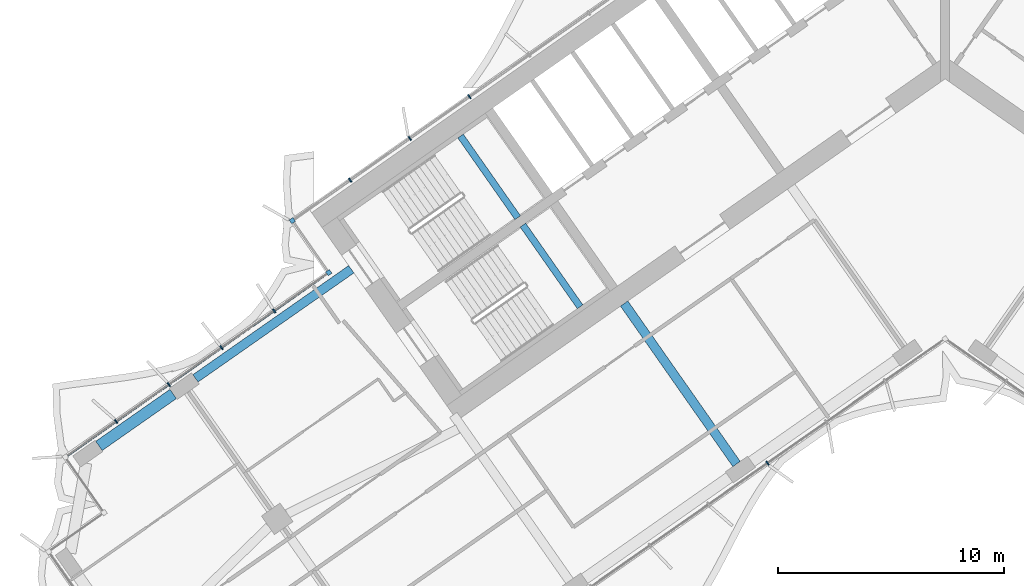
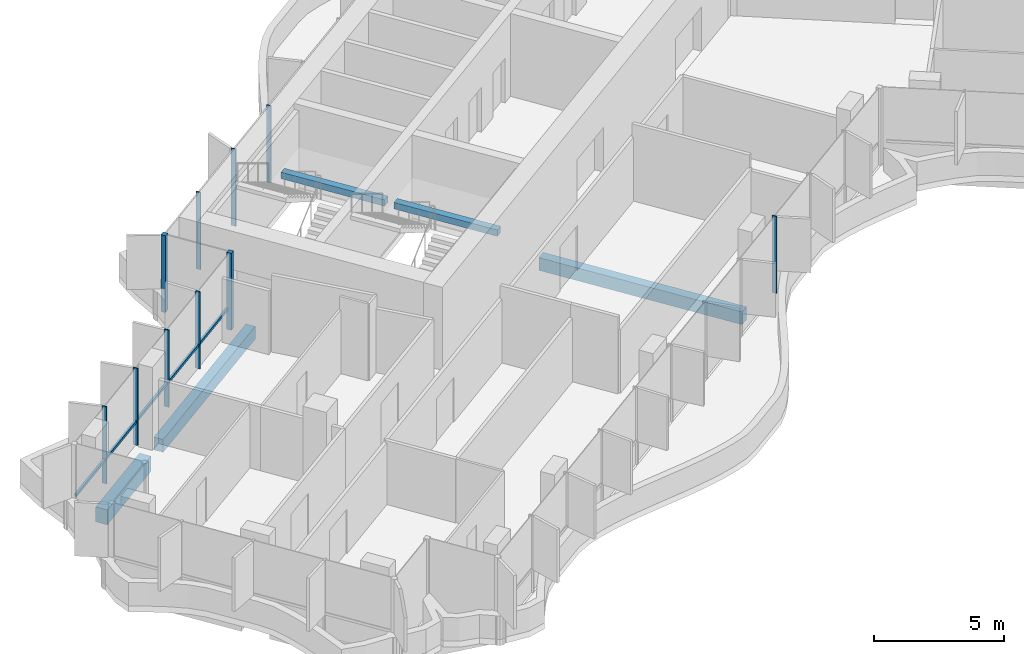
# One storey, part 4 of 22: 11 members, 5 beams, 2 elements without a shape of their own.
"""IFC4 building model written with IfcOpenShell, lengths in metres."""

from ifc_helpers import new_model, si_unit, direction, frame, origin, origin_2d, place, context, subcontext, project, spatial, rectangle, extrude, material, material_profile, profile_set, type_object, element, aggregate, save


model = new_model("IFC4")

# Units and contexts
model_context = context("Model", 3, precision=1e-05, world=origin(), true_north=direction((0.0, 1.0)))
body_context = subcontext(model_context, "Body", "Model", "MODEL_VIEW")
ifc_project = project(units=[si_unit("LENGTHUNIT", "METRE"), si_unit("AREAUNIT", "SQUARE_METRE"), si_unit("VOLUMEUNIT", "CUBIC_METRE"), si_unit("PLANEANGLEUNIT", "RADIAN"), si_unit("MASSUNIT", "GRAM", prefix="KILO")], contexts=[model_context])

# Site, building, storey
site_placement = place(None, origin())
site = spatial("IfcSite", under=ifc_project, at=site_placement, CompositionType="ELEMENT")
building_placement = place(site_placement, origin())
building = spatial("IfcBuilding", under=site, at=building_placement, Name="Tel Ilan Convention Tower", CompositionType="ELEMENT")
storey_placement = place(building_placement, frame((0.0, 0.0, 143.699951171875)))
storey = spatial("IfcBuildingStorey", under=building, at=storey_placement, Name="L32", CompositionType="ELEMENT", Elevation=143.699951171875)

# Beams
ifc_material_1 = material(Name="Concrete C40/50", Category="concrete")
ifc_material_profile_1 = material_profile(ifc_material_1, rectangle(XDim=0.39990234375, YDim=0.60009765625, at=origin_2d()), Name="RC 400x600")
ifc_profile_set_1 = profile_set([ifc_material_profile_1], Name="Concrete C40/50")
beam_type_1 = type_object("IfcBeamType", Name="Beam RC 400x600 Concrete C40/50", PredefinedType="BEAM", material=ifc_profile_set_1)
beam_1_placement = place(storey_placement, frame((-33.09912109375, -14.44775390625, -0.579833984375), z_axis=(0.819147254605, 0.573583276668, 0.0), x_axis=(-0.573583276668, 0.819147254605, 0.0)))
element("IfcBeam", 1, at=beam_1_placement, inside=storey, type_object=beam_type_1, Name="L32 beam W-W-B4-core", PredefinedType="BEAM", context=body_context, shape_type="SweptSolid", body=[
    extrude(rectangle(XDim=0.39990234375, YDim=0.60009765625, at=origin_2d()), origin(), (0.0, 0.0, 1.0), 8.400146484375),
])
beam_2_placement = place(storey_placement, frame((-9.209716796875, -18.229248046875, -0.579833984375), z_axis=(-0.573574099654, 0.819153680457, 0.0), x_axis=(-0.819153680457, -0.573574099654, 0.0)))
element("IfcBeam", 2, at=beam_2_placement, inside=storey, type_object=beam_type_1, Name="L32 beam W-W-F2-core", PredefinedType="BEAM", context=body_context, shape_type="SweptSolid", body=[
    extrude(rectangle(XDim=0.39990234375, YDim=0.60009765625, at=origin_2d()), origin(), (0.0, 0.0, 1.0), 8.64990234375),
])
ifc_material_2 = material(Name="Concrete C40/50", Category="concrete")
ifc_material_profile_2 = material_profile(ifc_material_2, rectangle(XDim=0.5, YDim=0.699951171875, at=origin_2d()), Name="RC 500x700")
ifc_profile_set_2 = profile_set([ifc_material_profile_2], Name="Concrete C40/50")
beam_type_2 = type_object("IfcBeamType", Name="Beam RC 500x700 Concrete C40/50", PredefinedType="BEAM", material=ifc_profile_set_2)
beam_3_placement = place(storey_placement, frame((-37.358642578125, -17.430419921875, -0.6298828125), z_axis=(0.819137286189, 0.573597512525, 0.0), x_axis=(-0.573597512525, 0.819137286189, 0.0)))
element("IfcBeam", 3, at=beam_3_placement, inside=storey, type_object=beam_type_2, Name="L32 beam W-W-BC-W-B4", PredefinedType="BEAM", context=body_context, shape_type="SweptSolid", body=[
    extrude(rectangle(XDim=0.5, YDim=0.699951171875, at=origin_2d()), origin(), (0.0, 0.0, 1.0), 4.0),
])

# Curtain wall, members
ifc_material_3 = material(Name="Aluminium, bronze anodised", Category="aluminium")
curtain_wall_type_1 = type_object("IfcCurtainWallType", Name="CW2 STICK CURTAIN WALL, SPANDREL PANELS", PredefinedType="NOTDEFINED", material=ifc_material_3)
curtain_wall_1_placement = place(storey_placement, origin())
curtain_wall_1 = element("IfcCurtainWall", 4, at=curtain_wall_1_placement, inside=storey, type_object=curtain_wall_type_1, Name="Curtain wall CW2-26.03", PredefinedType="NOTDEFINED")
ifc_material_4 = material(Name="Aluminium, bronze anodised", Category="aluminium")
ifc_material_profile_3 = material_profile(ifc_material_4, rectangle(XDim=0.199951171875, YDim=0.199951171875, at=origin_2d()), Name="CW CORNER MULLION 200x200")
ifc_profile_set_3 = profile_set([ifc_material_profile_3], Name="Aluminium, bronze anodised")
member_type_1 = type_object("IfcMemberType", Name="CW CORNER MULLION 200x200", PredefinedType="MULLION", material=ifc_profile_set_3)
member_1_placement = place(storey_placement, frame((-28.819580078125, -7.483642578125, 0.0), z_axis=(0.0, 0.0, 1.0), x_axis=(-0.819152044289, -0.573576436351, 0.0)))
member_1 = element("IfcMember", 5, at=member_1_placement, type_object=member_type_1, Name="Corner mullion", PredefinedType="MULLION", context=body_context, shape_type="SweptSolid", body=[
    extrude(rectangle(XDim=0.199951171875, YDim=0.199951171875, at=origin_2d()), origin(), (0.0, 0.0, 1.0), 3.6201171875),
])
member_2_placement = place(storey_placement, frame((-27.213623046875, -9.77734375, 0.0), z_axis=(0.0, 0.0, 1.0), x_axis=(0.573576436351, -0.819152044289, 0.0)))
member_2 = element("IfcMember", 6, at=member_2_placement, type_object=member_type_1, Name="Corner mullion", PredefinedType="MULLION", context=body_context, shape_type="SweptSolid", body=[
    extrude(rectangle(XDim=0.199951171875, YDim=0.199951171875, at=origin_2d()), origin(), (0.0, 0.0, 1.0), 3.6201171875),
])
ifc_material_5 = material(Name="Aluminium, bronze anodised", Category="aluminium")
ifc_material_profile_4 = material_profile(ifc_material_5, rectangle(XDim=0.06005859375, YDim=0.199951171875, at=origin_2d()), Name="CW MULLION 60x200")
ifc_profile_set_4 = profile_set([ifc_material_profile_4], Name="Aluminium, bronze anodised")
member_type_2 = type_object("IfcMemberType", Name="CW MULLION 60x200", PredefinedType="MULLION", material=ifc_profile_set_4)
member_3_placement = place(storey_placement, frame((-21.003662109375, -2.0107421875, 0.0), z_axis=(0.0, 0.0, 1.0), x_axis=(-0.819152044289, -0.573576436351, 0.0)))
member_3 = element("IfcMember", 7, at=member_3_placement, type_object=member_type_2, Name="Mullion", PredefinedType="MULLION", context=body_context, shape_type="SweptSolid", body=[
    extrude(rectangle(XDim=0.06005859375, YDim=0.199951171875, at=origin_2d()), origin(), (0.0, 0.0, 1.0), 3.6201171875),
])
member_4_placement = place(storey_placement, frame((-23.63623046875, -3.854248046875, 0.0), z_axis=(0.0, 0.0, 1.0), x_axis=(-0.819152044289, -0.573576436351, 0.0)))
member_4 = element("IfcMember", 8, at=member_4_placement, type_object=member_type_2, Name="Mullion", PredefinedType="MULLION", context=body_context, shape_type="SweptSolid", body=[
    extrude(rectangle(XDim=0.06005859375, YDim=0.199951171875, at=origin_2d()), origin(), (0.0, 0.0, 1.0), 3.6201171875),
])
member_5_placement = place(storey_placement, frame((-26.268798828125, -5.697509765625, 0.0), z_axis=(0.0, 0.0, 1.0), x_axis=(-0.819152044289, -0.573576436351, 0.0)))
member_5 = element("IfcMember", 9, at=member_5_placement, type_object=member_type_2, Name="Mullion", PredefinedType="MULLION", context=body_context, shape_type="SweptSolid", body=[
    extrude(rectangle(XDim=0.06005859375, YDim=0.199951171875, at=origin_2d()), origin(), (0.0, 0.0, 1.0), 3.6201171875),
])
aggregate(curtain_wall_1, [member_3, member_4, member_5, member_1, member_2])

ifc_material_6 = material(Name="Aluminium, bronze anodised", Category="aluminium")
curtain_wall_type_2 = type_object("IfcCurtainWallType", Name="CW4 STICK CURTAIN WALL, OFFICE TINTED GLASS", PredefinedType="NOTDEFINED", material=ifc_material_6)
curtain_wall_2_placement = place(storey_placement, origin())
curtain_wall_2 = element("IfcCurtainWall", 10, at=curtain_wall_2_placement, inside=storey, type_object=curtain_wall_type_2, Name="Curtain wall CW4-26.04", PredefinedType="NOTDEFINED")
member_6_placement = place(storey_placement, frame((-29.621826171875, -11.463623046875, 0.0), z_axis=(0.0, 0.0, 1.0), x_axis=(-0.819152044289, -0.573576436351, 0.0)))
member_6 = element("IfcMember", 11, at=member_6_placement, type_object=member_type_2, Name="Mullion", PredefinedType="MULLION", context=body_context, shape_type="SweptSolid", body=[
    extrude(rectangle(XDim=0.06005859375, YDim=0.199951171875, at=origin_2d()), origin(), (0.0, 0.0, 1.0), 3.6201171875),
])
member_7_placement = place(storey_placement, frame((-31.9482421875, -13.092529296875, 0.0), z_axis=(0.0, 0.0, 1.0), x_axis=(-0.819152044289, -0.573576436351, 0.0)))
member_7 = element("IfcMember", 12, at=member_7_placement, type_object=member_type_2, Name="Mullion", PredefinedType="MULLION", context=body_context, shape_type="SweptSolid", body=[
    extrude(rectangle(XDim=0.06005859375, YDim=0.199951171875, at=origin_2d()), origin(), (0.0, 0.0, 1.0), 3.6201171875),
])
member_8_placement = place(storey_placement, frame((-34.274658203125, -14.721435546875, 0.0), z_axis=(0.0, 0.0, 1.0), x_axis=(-0.819152044289, -0.573576436351, 0.0)))
member_8 = element("IfcMember", 13, at=member_8_placement, type_object=member_type_2, Name="Mullion", PredefinedType="MULLION", context=body_context, shape_type="SweptSolid", body=[
    extrude(rectangle(XDim=0.06005859375, YDim=0.199951171875, at=origin_2d()), origin(), (0.0, 0.0, 1.0), 3.6201171875),
])
member_9_placement = place(storey_placement, frame((-36.60107421875, -16.350341796875, 0.0), z_axis=(0.0, 0.0, 1.0), x_axis=(-0.819152044289, -0.573576436351, 0.0)))
member_9 = element("IfcMember", 14, at=member_9_placement, type_object=member_type_2, Name="Mullion", PredefinedType="MULLION", context=body_context, shape_type="SweptSolid", body=[
    extrude(rectangle(XDim=0.06005859375, YDim=0.199951171875, at=origin_2d()), origin(), (0.0, 0.0, 1.0), 3.6201171875),
])
member_10_placement = place(storey_placement, frame((-7.842529296875, -18.1875, 0.0), z_axis=(0.0, 0.0, 1.0), x_axis=(0.819152044289, 0.573576436351, 0.0)))
member_10 = element("IfcMember", 15, at=member_10_placement, type_object=member_type_2, Name="Mullion", PredefinedType="MULLION", context=body_context, shape_type="SweptSolid", body=[
    extrude(rectangle(XDim=0.06005859375, YDim=0.199951171875, at=origin_2d()), origin(), (0.0, 0.0, 1.0), 3.6201171875),
])
ifc_material_7 = material(Name="Aluminium, bronze anodised", Category="aluminium")
ifc_material_profile_5 = material_profile(ifc_material_7, rectangle(XDim=0.10009765625, YDim=0.1201171875, at=origin_2d()), Name="CW TRANSOM 100x120")
ifc_profile_set_5 = profile_set([ifc_material_profile_5], Name="Aluminium, bronze anodised")
member_type_3 = type_object("IfcMemberType", Name="CW TRANSOM 100x120", PredefinedType="USERDEFINED", material=ifc_profile_set_5)
member_11_placement = place(storey_placement, frame((-27.459228515625, -9.94921875, 1.10009765625), z_axis=(-0.819149630799, -0.573579883156, 0.0), x_axis=(0.573579883156, -0.819149630799, 0.0)))
member_11 = element("IfcMember", 16, at=member_11_placement, type_object=member_type_3, Name="Transom", ObjectType="TRANSOM", PredefinedType="USERDEFINED", context=body_context, shape_type="SweptSolid", body=[
    extrude(rectangle(XDim=0.10009765625, YDim=0.1201171875, at=origin_2d()), origin(), (0.0, 0.0, 1.0), 13.80029296875),
])
aggregate(curtain_wall_2, [member_6, member_7, member_8, member_9, member_11, member_10])

# Beams
ifc_material_8 = material(Name="Concrete C40/50", Category="concrete")
ifc_material_profile_6 = material_profile(ifc_material_8, rectangle(XDim=0.300048828125, YDim=0.300048828125, at=origin_2d()), Name="RC 300x300")
ifc_profile_set_6 = profile_set([ifc_material_profile_6], Name="Concrete C40/50")
beam_type_3 = type_object("IfcBeamType", Name="Landing Beam RC 300x300 Concrete C40/50", PredefinedType="BEAM", material=ifc_profile_set_6)
beam_4_placement = place(storey_placement, frame((-18.870361328125, -7.353515625, 1.60009765625), z_axis=(-0.57354426506, 0.819174569928, 0.0), x_axis=(-0.819174569928, -0.57354426506, 0.0)))
element("IfcBeam", 17, at=beam_4_placement, inside=storey, type_object=beam_type_3, Name="S1 landing beam L32.1", PredefinedType="BEAM", context=body_context, shape_type="SweptSolid", body=[
    extrude(rectangle(XDim=0.300048828125, YDim=0.300048828125, at=origin_2d()), origin(), (0.0, 0.0, 1.0), 4.400146484375),
])
beam_5_placement = place(storey_placement, frame((-16.1171875, -11.285400390625, 1.60009765625), z_axis=(-0.573570334442, 0.819156316858, 0.0), x_axis=(-0.819156316858, -0.573570334442, 0.0)))
element("IfcBeam", 18, at=beam_5_placement, inside=storey, type_object=beam_type_3, Name="S2 landing beam L32.1", PredefinedType="BEAM", context=body_context, shape_type="SweptSolid", body=[
    extrude(rectangle(XDim=0.300048828125, YDim=0.300048828125, at=origin_2d()), origin(), (0.0, 0.0, 1.0), 4.39990234375),
])

save(model, "model.ifc")
